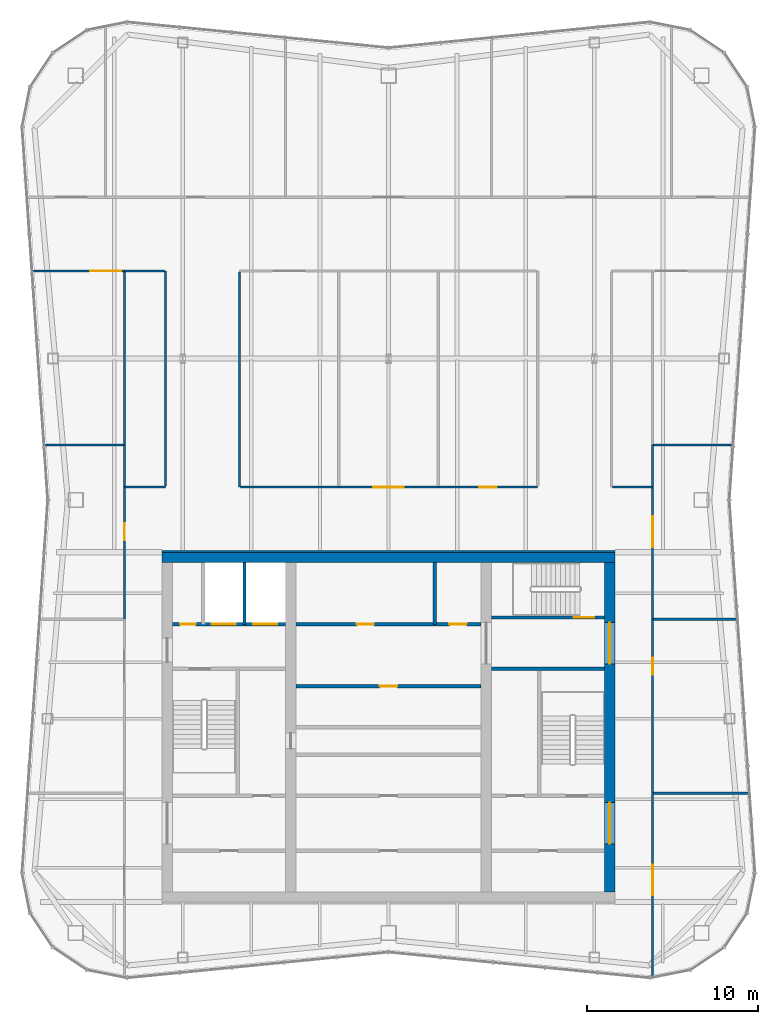
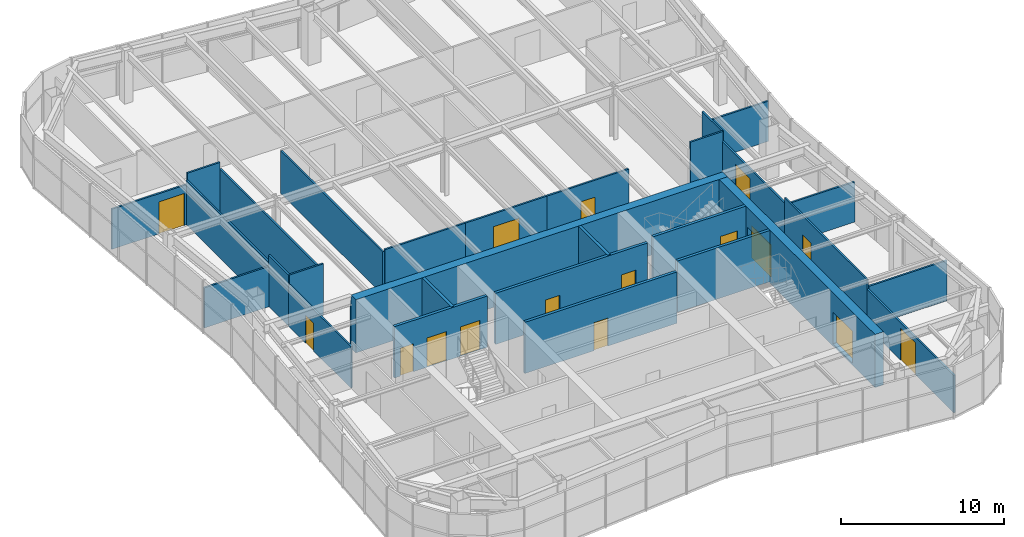
# One storey, part 10 of 13: 30 walls, 16 doors, 16 openings.
"""IFC4 building model written with IfcOpenShell, lengths in metres."""

from ifc_helpers import new_model, si_unit, direction, frame, frame_2d, origin, place, context, subcontext, project, spatial, rectangle, extrude, material, layer, layer_set, type_object, element, fill, save


model = new_model("IFC4")

# Units and contexts
model_context = context("Model", 3, precision=1e-05, world=origin(), true_north=direction((0.0, 1.0)))
body_context = subcontext(model_context, "Body", "Model", "MODEL_VIEW")
ifc_project = project(units=[si_unit("LENGTHUNIT", "METRE"), si_unit("AREAUNIT", "SQUARE_METRE"), si_unit("VOLUMEUNIT", "CUBIC_METRE"), si_unit("PLANEANGLEUNIT", "RADIAN"), si_unit("MASSUNIT", "GRAM", prefix="KILO")], contexts=[model_context])

# Site, building, storey
site_placement = place(None, origin())
site = spatial("IfcSite", under=ifc_project, at=site_placement, CompositionType="ELEMENT")
building_placement = place(site_placement, origin())
building = spatial("IfcBuilding", under=site, at=building_placement, Name="Verdant Reach Tower", CompositionType="ELEMENT")
storey_placement = place(building_placement, frame((0.0, 0.0, 364.0)))
storey = spatial("IfcBuildingStorey", under=building, at=storey_placement, Name="L82 Plant", CompositionType="ELEMENT", Elevation=364.0)

# Wall, opening, door
ifc_material_1 = material(Name="Gypsum board on steel studs", Category="steel")
ifc_layer_1 = layer(ifc_material_1, 0.199951171875)
ifc_layer_set_1 = layer_set([ifc_layer_1], Name="CO-WALL-ROOM")
wall_type_1 = type_object("IfcWallType", Name="CO-WALL-ROOM", PredefinedType="PARTITIONING", material=ifc_layer_set_1)
wall_1_placement = place(storey_placement, frame((-5.39990234375, 30.39990234375, 0.0), z_axis=(0.0, 0.0, 1.0), x_axis=(1.0, 0.0, 0.0)))
wall_1 = element("IfcWall", 1, at=wall_1_placement, inside=storey, type_object=wall_type_1, Name="Core partition, L82 Plant", PredefinedType="PARTITIONING", context=body_context, shape_type="SweptSolid", body=[
    extrude(rectangle(XDim=10.7998046875, YDim=0.199951171875, at=frame_2d((5.39990234375, 0.0))), origin(), (0.0, 0.0, 1.0), 3.85009765625),
])
opening_1_placement = place(wall_1_placement, frame((4.89990234375, 0.0, 0.0)))
opening_1 = element("IfcOpeningElement", 2, at=opening_1_placement, cuts=wall_1, Name="Opening CD", PredefinedType="OPENING", context=body_context, shape_type="SweptSolid", body=[
    extrude(rectangle(XDim=1.0, YDim=2.10009765625, at=frame_2d((0.5, 1.050048828125))), frame((0.0, 0.10986328125, 0.0), z_axis=(0.0, -1.0, 0.0), x_axis=(1.0, 0.0, 0.0)), (0.0, 0.0, 1.0), 0.219970703125),
])
ifc_material_2 = material(Name="Timber", Category="wood")
door_type_1 = type_object("IfcDoorType", Name="CO-DOOR-ROOM", OperationType="NOTDEFINED", PredefinedType="DOOR", material=ifc_material_2)
door_1_placement = place(opening_1_placement, origin())
door_1 = element("IfcDoor", 3, at=door_1_placement, inside=storey, type_object=door_type_1, Name="Core room door, L82 Plant", OperationType="SINGLE_SWING_LEFT", OverallHeight=2.10009765625, OverallWidth=1.0, PredefinedType="DOOR", context=body_context, shape_type="SweptSolid", body=[
    extrude(rectangle(XDim=1.0, YDim=2.10009765625, at=frame_2d((0.5, 1.050048828125))), frame((0.0, 0.02490234375, 0.0), z_axis=(0.0, -1.0, 0.0), x_axis=(1.0, 0.0, 0.0)), (0.0, 0.0, 1.0), 0.050048828125),
])
fill(opening_1, door_1)

# Wall, openings, doors
wall_2_placement = place(storey_placement, frame((-5.39990234375, 34.0, 0.0), z_axis=(0.0, 0.0, 1.0), x_axis=(1.0, 0.0, 0.0)))
wall_2 = element("IfcWall", 4, at=wall_2_placement, inside=storey, type_object=wall_type_1, Name="Core partition, L82 Plant", PredefinedType="PARTITIONING", context=body_context, shape_type="SweptSolid", body=[
    extrude(rectangle(XDim=10.7998046875, YDim=0.199951171875, at=frame_2d((5.39990234375, 0.0))), origin(), (0.0, 0.0, 1.0), 3.85009765625),
])
opening_2_placement = place(wall_2_placement, frame((3.550048828125, 0.0, 0.0)))
opening_2 = element("IfcOpeningElement", 5, at=opening_2_placement, cuts=wall_2, Name="Opening CD", PredefinedType="OPENING", context=body_context, shape_type="SweptSolid", body=[
    extrude(rectangle(XDim=1.0, YDim=2.10009765625, at=frame_2d((0.5, 1.050048828125))), frame((0.0, 0.10986328125, 0.0), z_axis=(0.0, -1.0, 0.0), x_axis=(1.0, 0.0, 0.0)), (0.0, 0.0, 1.0), 0.219970703125),
])
opening_3_placement = place(wall_2_placement, frame((8.949951171875, 0.0, 0.0)))
opening_3 = element("IfcOpeningElement", 6, at=opening_3_placement, cuts=wall_2, Name="Opening CD", PredefinedType="OPENING", context=body_context, shape_type="SweptSolid", body=[
    extrude(rectangle(XDim=1.0, YDim=2.10009765625, at=frame_2d((0.5, 1.050048828125))), frame((0.0, 0.10986328125, 0.0), z_axis=(0.0, -1.0, 0.0), x_axis=(1.0, 0.0, 0.0)), (0.0, 0.0, 1.0), 0.219970703125),
])
door_2_placement = place(opening_2_placement, origin())
door_2 = element("IfcDoor", 7, at=door_2_placement, inside=storey, type_object=door_type_1, Name="Core room door, L82 Plant", OperationType="SINGLE_SWING_LEFT", OverallHeight=2.10009765625, OverallWidth=1.0, PredefinedType="DOOR", context=body_context, shape_type="SweptSolid", body=[
    extrude(rectangle(XDim=1.0, YDim=2.10009765625, at=frame_2d((0.5, 1.050048828125))), frame((0.0, 0.02490234375, 0.0), z_axis=(0.0, -1.0, 0.0), x_axis=(1.0, 0.0, 0.0)), (0.0, 0.0, 1.0), 0.050048828125),
])
fill(opening_2, door_2)
door_3_placement = place(opening_3_placement, origin())
door_3 = element("IfcDoor", 8, at=door_3_placement, inside=storey, type_object=door_type_1, Name="Core room door, L82 Plant", OperationType="SINGLE_SWING_LEFT", OverallHeight=2.10009765625, OverallWidth=1.0, PredefinedType="DOOR", context=body_context, shape_type="SweptSolid", body=[
    extrude(rectangle(XDim=1.0, YDim=2.10009765625, at=frame_2d((0.5, 1.050048828125))), frame((0.0, 0.02490234375, 0.0), z_axis=(0.0, -1.0, 0.0), x_axis=(1.0, 0.0, 0.0)), (0.0, 0.0, 1.0), 0.050048828125),
])
fill(opening_3, door_3)

# Wall
wall_3_placement = place(storey_placement, frame((2.699951171875, 34.0, 0.0), z_axis=(0.0, 0.0, 1.0), x_axis=(0.0, 1.0, 0.0)))
element("IfcWall", 9, at=wall_3_placement, inside=storey, type_object=wall_type_1, Name="Core partition, L82 Plant", PredefinedType="PARTITIONING", context=body_context, shape_type="SweptSolid", body=[
    extrude(rectangle(XDim=3.60009765625, YDim=0.199951171875, at=frame_2d((1.800048828125, 0.0))), origin(), (0.0, 0.0, 1.0), 3.85009765625),
])

# Wall, openings, doors
ifc_material_3 = material(Name="Concrete C40/50", Category="concrete")
ifc_layer_2 = layer(ifc_material_3, 0.199951171875)
ifc_layer_set_2 = layer_set([ifc_layer_2], Name="CO-WALL-SHAFT")
wall_type_2 = type_object("IfcWallType", Name="CO-WALL-SHAFT", PredefinedType="PARTITIONING", material=ifc_layer_set_2)
wall_4_placement = place(storey_placement, frame((-12.60009765625, 34.0, 0.0), z_axis=(0.0, 0.0, 1.0), x_axis=(1.0, 0.0, 0.0)))
wall_4 = element("IfcWall", 10, at=wall_4_placement, inside=storey, type_object=wall_type_2, Name="Lift shaft wall, L82 Plant", PredefinedType="PARTITIONING", context=body_context, shape_type="SweptSolid", body=[
    extrude(rectangle(XDim=6.60009765625, YDim=0.199951171875, at=frame_2d((3.300048828125, 0.0))), origin(), (0.0, 0.0, 1.0), 3.85009765625),
])
opening_4_placement = place(wall_4_placement, frame((4.699951171875, 0.0, 0.0)))
opening_4 = element("IfcOpeningElement", 11, at=opening_4_placement, cuts=wall_4, Name="Opening LD-F1", PredefinedType="OPENING", context=body_context, shape_type="SweptSolid", body=[
    extrude(rectangle(XDim=1.39990234375, YDim=2.199951171875, at=frame_2d((0.699951171875, 1.10009765625))), frame((0.0, 0.10986328125, 0.0), z_axis=(0.0, -1.0, 0.0), x_axis=(1.0, 0.0, 0.0)), (0.0, 0.0, 1.0), 0.219970703125),
])
opening_5_placement = place(wall_4_placement, frame((2.300048828125, 0.0, 0.0)))
opening_5 = element("IfcOpeningElement", 12, at=opening_5_placement, cuts=wall_4, Name="Opening LD-F2", PredefinedType="OPENING", context=body_context, shape_type="SweptSolid", body=[
    extrude(rectangle(XDim=1.39990234375, YDim=2.199951171875, at=frame_2d((0.699951171875, 1.10009765625))), frame((0.0, 0.10986328125, 0.0), z_axis=(0.0, -1.0, 0.0), x_axis=(1.0, 0.0, 0.0)), (0.0, 0.0, 1.0), 0.219970703125),
])
opening_6_placement = place(wall_4_placement, frame((0.449951171875, 0.0, 0.0)))
opening_6 = element("IfcOpeningElement", 13, at=opening_6_placement, cuts=wall_4, Name="Opening RD", PredefinedType="OPENING", context=body_context, shape_type="SweptSolid", body=[
    extrude(rectangle(XDim=0.89990234375, YDim=2.10009765625, at=frame_2d((0.449951171875, 1.050048828125))), frame((0.0, 0.10986328125, 0.0), z_axis=(0.0, -1.0, 0.0), x_axis=(1.0, 0.0, 0.0)), (0.0, 0.0, 1.0), 0.219970703125),
])
ifc_material_4 = material(Name="Stainless steel", Category="steel")
door_type_2 = type_object("IfcDoorType", Name="CO-DOOR-LANDING-FF", OperationType="SLIDING_TO_LEFT", PredefinedType="DOOR", material=ifc_material_4)
door_4_placement = place(opening_4_placement, origin())
door_4 = element("IfcDoor", 14, at=door_4_placement, inside=storey, type_object=door_type_2, Name="Landing door F1, L82 Plant", OperationType="SLIDING_TO_LEFT", OverallHeight=2.199951171875, OverallWidth=1.39990234375, PredefinedType="DOOR", context=body_context, shape_type="SweptSolid", body=[
    extrude(rectangle(XDim=1.39990234375, YDim=2.199951171875, at=frame_2d((0.699951171875, 1.10009765625))), frame((0.0, 0.02490234375, 0.0), z_axis=(0.0, -1.0, 0.0), x_axis=(1.0, 0.0, 0.0)), (0.0, 0.0, 1.0), 0.050048828125),
])
fill(opening_4, door_4)
door_5_placement = place(opening_5_placement, origin())
door_5 = element("IfcDoor", 15, at=door_5_placement, inside=storey, type_object=door_type_2, Name="Landing door F2, L82 Plant", OperationType="SLIDING_TO_LEFT", OverallHeight=2.199951171875, OverallWidth=1.39990234375, PredefinedType="DOOR", context=body_context, shape_type="SweptSolid", body=[
    extrude(rectangle(XDim=1.39990234375, YDim=2.199951171875, at=frame_2d((0.699951171875, 1.10009765625))), frame((0.0, 0.02490234375, 0.0), z_axis=(0.0, -1.0, 0.0), x_axis=(1.0, 0.0, 0.0)), (0.0, 0.0, 1.0), 0.050048828125),
])
fill(opening_5, door_5)
ifc_material_5 = material(Name="Steel", Category="steel")
door_type_3 = type_object("IfcDoorType", Name="CO-DOOR-RISER", OperationType="NOTDEFINED", PredefinedType="DOOR", material=ifc_material_5)
door_6_placement = place(opening_6_placement, origin())
door_6 = element("IfcDoor", 16, at=door_6_placement, inside=storey, type_object=door_type_3, Name="Core room door, L82 Plant", OperationType="SINGLE_SWING_LEFT", OverallHeight=2.10009765625, OverallWidth=0.89990234375, PredefinedType="DOOR", context=body_context, shape_type="SweptSolid", body=[
    extrude(rectangle(XDim=0.89990234375, YDim=2.10009765625, at=frame_2d((0.449951171875, 1.050048828125))), frame((0.0, 0.02490234375, 0.0), z_axis=(0.0, -1.0, 0.0), x_axis=(1.0, 0.0, 0.0)), (0.0, 0.0, 1.0), 0.050048828125),
])
fill(opening_6, door_6)

# Walls
wall_5_placement = place(storey_placement, frame((-8.39990234375, 34.0, 0.0), z_axis=(0.0, 0.0, 1.0), x_axis=(0.0, 1.0, 0.0)))
element("IfcWall", 17, at=wall_5_placement, inside=storey, type_object=wall_type_2, Name="Lift shaft wall, L82 Plant", PredefinedType="PARTITIONING", context=body_context, shape_type="SweptSolid", body=[
    extrude(rectangle(XDim=3.60009765625, YDim=0.199951171875, at=frame_2d((1.800048828125, 0.0))), origin(), (0.0, 0.0, 1.0), 3.85009765625),
])
ifc_layer_3 = layer(ifc_material_3, 0.199951171875)
ifc_layer_set_3 = layer_set([ifc_layer_3], Name="CO-WALL-STAIR")
wall_type_3 = type_object("IfcWallType", Name="CO-WALL-STAIR", PredefinedType="PARTITIONING", material=ifc_layer_set_3)
wall_6_placement = place(storey_placement, frame((6.0, 31.39990234375, 0.0), z_axis=(0.0, 0.0, 1.0), x_axis=(1.0, 0.0, 0.0)))
element("IfcWall", 18, at=wall_6_placement, inside=storey, type_object=wall_type_3, Name="Stair enclosure wall, L82 Plant", PredefinedType="PARTITIONING", context=body_context, shape_type="SweptSolid", body=[
    extrude(rectangle(XDim=6.60009765625, YDim=0.199951171875, at=frame_2d((3.300048828125, 0.0))), origin(), (0.0, 0.0, 1.0), 3.85009765625),
])

# Wall, opening, door
wall_7_placement = place(storey_placement, frame((6.0, 34.39990234375, 0.0), z_axis=(0.0, 0.0, 1.0), x_axis=(1.0, 0.0, 0.0)))
wall_7 = element("IfcWall", 19, at=wall_7_placement, inside=storey, type_object=wall_type_3, Name="Stair enclosure wall, L82 Plant", PredefinedType="PARTITIONING", context=body_context, shape_type="SweptSolid", body=[
    extrude(rectangle(XDim=6.60009765625, YDim=0.199951171875, at=frame_2d((3.300048828125, 0.0))), origin(), (0.0, 0.0, 1.0), 3.85009765625),
])
opening_7_placement = place(wall_7_placement, frame((4.800048828125, 0.0, 0.0)))
opening_7 = element("IfcOpeningElement", 20, at=opening_7_placement, cuts=wall_7, Name="Opening SD", PredefinedType="OPENING", context=body_context, shape_type="SweptSolid", body=[
    extrude(rectangle(XDim=1.199951171875, YDim=2.199951171875, at=frame_2d((0.60009765625, 1.10009765625))), frame((0.0, 0.10986328125, 0.0), z_axis=(0.0, -1.0, 0.0), x_axis=(1.0, 0.0, 0.0)), (0.0, 0.0, 1.0), 0.219970703125),
])
door_type_4 = type_object("IfcDoorType", Name="CO-DOOR-STAIR", OperationType="NOTDEFINED", PredefinedType="DOOR", material=ifc_material_5)
door_7_placement = place(opening_7_placement, origin())
door_7 = element("IfcDoor", 21, at=door_7_placement, inside=storey, type_object=door_type_4, Name="Stair door, L82 Plant", OperationType="SINGLE_SWING_LEFT", OverallHeight=2.199951171875, OverallWidth=1.199951171875, PredefinedType="DOOR", context=body_context, shape_type="SweptSolid", body=[
    extrude(rectangle(XDim=1.199951171875, YDim=2.199951171875, at=frame_2d((0.60009765625, 1.10009765625))), frame((0.0, 0.02490234375, 0.0), z_axis=(0.0, -1.0, 0.0), x_axis=(1.0, 0.0, 0.0)), (0.0, 0.0, 1.0), 0.050048828125),
])
fill(opening_7, door_7)

# Wall
ifc_material_6 = material(Name="Concrete C70/85", Category="concrete")
ifc_layer_4 = layer(ifc_material_6, 0.60009765625)
ifc_layer_set_4 = layer_set([ifc_layer_4], Name="ST-CORE-WALL-600")
wall_type_4 = type_object("IfcWallType", Name="ST-CORE-WALL-600", PredefinedType="SHEAR", material=ifc_layer_set_4)
wall_8_placement = place(storey_placement, frame((-13.199951171875, 37.89990234375, -0.14990234375), z_axis=(0.0, 0.0, 1.0), x_axis=(1.0, 0.0, 0.0)))
element("IfcWall", 22, at=wall_8_placement, inside=storey, type_object=wall_type_4, Name="Core wall N, L82 Plant", PredefinedType="SHEAR", context=body_context, shape_type="SweptSolid", body=[
    extrude(rectangle(XDim=26.39990234375, YDim=0.60009765625, at=frame_2d((13.199951171875, 0.0))), origin(), (0.0, 0.0, 1.0), 4.0),
])

# Wall, openings, doors
wall_9_placement = place(storey_placement, frame((12.89990234375, 18.39990234375, -0.14990234375), z_axis=(0.0, 0.0, 1.0), x_axis=(0.0, 1.0, 0.0)))
wall_9 = element("IfcWall", 23, at=wall_9_placement, inside=storey, type_object=wall_type_4, Name="Core wall E, L82 Plant", PredefinedType="SHEAR", context=body_context, shape_type="SweptSolid", body=[
    extrude(rectangle(XDim=19.2001953125, YDim=0.60009765625, at=frame_2d((9.60009765625, 0.0))), origin(), (0.0, 0.0, 1.0), 4.0),
])
opening_8_placement = place(wall_9_placement, frame((2.800048828125, 0.0, 0.14990234375)))
opening_8 = element("IfcOpeningElement", 24, at=opening_8_placement, cuts=wall_9, Name="Opening LB", PredefinedType="OPENING", context=body_context, shape_type="SweptSolid", body=[
    extrude(rectangle(XDim=2.39990234375, YDim=2.39990234375, at=frame_2d((1.199951171875, 1.199951171875))), frame((0.0, 0.31005859375, 0.0), z_axis=(0.0, -1.0, 0.0), x_axis=(1.0, 0.0, 0.0)), (0.0, 0.0, 1.0), 0.6201171875),
])
opening_9_placement = place(wall_9_placement, frame((13.300048828125, 0.0, 0.14990234375)))
opening_9 = element("IfcOpeningElement", 25, at=opening_9_placement, cuts=wall_9, Name="Opening LB", PredefinedType="OPENING", context=body_context, shape_type="SweptSolid", body=[
    extrude(rectangle(XDim=2.39990234375, YDim=2.39990234375, at=frame_2d((1.199951171875, 1.199951171875))), frame((0.0, 0.31005859375, 0.0), z_axis=(0.0, -1.0, 0.0), x_axis=(1.0, 0.0, 0.0)), (0.0, 0.0, 1.0), 0.6201171875),
])
ifc_material_7 = material(Name="Glass and steel", Category="steel")
door_type_5 = type_object("IfcDoorType", Name="CO-DOOR-LOBBY", OperationType="DOUBLE_DOOR_SINGLE_SWING", PredefinedType="DOOR", material=ifc_material_7)
door_8_placement = place(opening_8_placement, origin())
door_8 = element("IfcDoor", 26, at=door_8_placement, inside=storey, type_object=door_type_5, Name="Core entrance door, L82 Plant", OperationType="DOUBLE_DOOR_SINGLE_SWING", OverallHeight=2.39990234375, OverallWidth=2.39990234375, PredefinedType="DOOR", context=body_context, shape_type="SweptSolid", body=[
    extrude(rectangle(XDim=2.39990234375, YDim=2.39990234375, at=frame_2d((1.199951171875, 1.199951171875))), frame((0.0, 0.02490234375, 0.0), z_axis=(0.0, -1.0, 0.0), x_axis=(1.0, 0.0, 0.0)), (0.0, 0.0, 1.0), 0.050048828125),
])
fill(opening_8, door_8)
door_9_placement = place(opening_9_placement, origin())
door_9 = element("IfcDoor", 27, at=door_9_placement, inside=storey, type_object=door_type_5, Name="Core entrance door, L82 Plant", OperationType="DOUBLE_DOOR_SINGLE_SWING", OverallHeight=2.39990234375, OverallWidth=2.39990234375, PredefinedType="DOOR", context=body_context, shape_type="SweptSolid", body=[
    extrude(rectangle(XDim=2.39990234375, YDim=2.39990234375, at=frame_2d((1.199951171875, 1.199951171875))), frame((0.0, 0.02490234375, 0.0), z_axis=(0.0, -1.0, 0.0), x_axis=(1.0, 0.0, 0.0)), (0.0, 0.0, 1.0), 0.050048828125),
])
fill(opening_9, door_9)

# Walls
ifc_material_8 = material(Name="Gypsum board on steel studs, fire rated", Category="steel")
ifc_layer_5 = layer(ifc_material_8, 0.125)
ifc_layer_set_5 = layer_set([ifc_layer_5], Name="SV-W2 Plant wall 125 EI 60")
wall_type_5 = type_object("IfcWallType", Name="SV-W2 Plant wall 125 EI 60", PredefinedType="PARTITIONING", material=ifc_layer_set_5)
wall_10_placement = place(storey_placement, frame((-8.699951171875, 54.53759765625, 0.0), z_axis=(0.0, 0.0, 1.0), x_axis=(0.0, -1.0, 0.0)))
element("IfcWall", 28, at=wall_10_placement, inside=storey, type_object=wall_type_5, Name="Partition L82.02", PredefinedType="PARTITIONING", context=body_context, shape_type="SweptSolid", body=[
    extrude(rectangle(XDim=12.53759765625, YDim=0.125, at=frame_2d((6.268798828125, 0.0))), origin(), (0.0, 0.0, 1.0), 3.219970703125),
])
wall_11_placement = place(storey_placement, frame((-8.637451171875, 42.0, 0.0), z_axis=(0.0, 0.0, 1.0), x_axis=(1.0, 0.0, 0.0)))
element("IfcWall", 29, at=wall_11_placement, inside=storey, type_object=wall_type_5, Name="Partition L82.03", PredefinedType="PARTITIONING", context=body_context, shape_type="SweptSolid", body=[
    extrude(rectangle(XDim=5.737548828125, YDim=0.125, at=frame_2d((2.86865234375, 0.0))), origin(), (0.0, 0.0, 1.0), 3.3701171875),
])

# Wall, opening, door
wall_12_placement = place(storey_placement, frame((2.89990234375, 42.0, 0.0), z_axis=(0.0, 0.0, 1.0), x_axis=(-1.0, 0.0, 0.0)))
wall_12 = element("IfcWall", 30, at=wall_12_placement, inside=storey, type_object=wall_type_5, Name="Partition L82.04", PredefinedType="PARTITIONING", context=body_context, shape_type="SweptSolid", body=[
    extrude(rectangle(XDim=5.7998046875, YDim=0.125, at=frame_2d((2.89990234375, 0.0))), origin(), (0.0, 0.0, 1.0), 3.3701171875),
])
opening_10_placement = place(wall_12_placement, frame((2.0, 0.0, 0.0)))
opening_10 = element("IfcOpeningElement", 31, at=opening_10_placement, cuts=wall_12, Name="Opening SD3", PredefinedType="OPENING", context=body_context, shape_type="SweptSolid", body=[
    extrude(rectangle(XDim=1.800048828125, YDim=2.39990234375, at=frame_2d((0.89990234375, 1.199951171875))), frame((0.0, 0.072509765625, 0.0), z_axis=(0.0, -1.0, 0.0), x_axis=(1.0, 0.0, 0.0)), (0.0, 0.0, 1.0), 0.14501953125),
])
ifc_material_9 = material(Name="Steel door leaves, fire rated", Category="steel")
door_type_6 = type_object("IfcDoorType", Name="SV-D3 Equipment door 1800x2400 FD60", OperationType="DOUBLE_DOOR_SINGLE_SWING", PredefinedType="DOOR", material=ifc_material_9)
door_10_placement = place(opening_10_placement, origin())
door_10 = element("IfcDoor", 32, at=door_10_placement, inside=storey, type_object=door_type_6, Name="Door L82-002", OperationType="DOUBLE_DOOR_SINGLE_SWING", OverallHeight=2.39990234375, OverallWidth=1.800048828125, PredefinedType="DOOR", context=body_context, shape_type="SweptSolid", body=[
    extrude(rectangle(XDim=1.800048828125, YDim=2.39990234375, at=frame_2d((0.89990234375, 1.199951171875))), frame((0.0, 0.02490234375, 0.0), z_axis=(0.0, -1.0, 0.0), x_axis=(1.0, 0.0, 0.0)), (0.0, 0.0, 1.0), 0.050048828125),
])
fill(opening_10, door_10)

wall_13_placement = place(storey_placement, frame((8.699951171875, 42.0, 0.0), z_axis=(0.0, 0.0, 1.0), x_axis=(-1.0, 0.0, 0.0)))
wall_13 = element("IfcWall", 33, at=wall_13_placement, inside=storey, type_object=wall_type_5, Name="Partition L82.06", PredefinedType="PARTITIONING", context=body_context, shape_type="SweptSolid", body=[
    extrude(rectangle(XDim=5.800048828125, YDim=0.125, at=frame_2d((2.89990234375, 0.0))), origin(), (0.0, 0.0, 1.0), 3.3701171875),
])
opening_11_placement = place(wall_13_placement, frame((2.39990234375, 0.0, 0.0)))
opening_11 = element("IfcOpeningElement", 34, at=opening_11_placement, cuts=wall_13, Name="Opening SD4", PredefinedType="OPENING", context=body_context, shape_type="SweptSolid", body=[
    extrude(rectangle(XDim=1.0, YDim=2.10009765625, at=frame_2d((0.5, 1.050048828125))), frame((0.0, 0.072509765625, 0.0), z_axis=(0.0, -1.0, 0.0), x_axis=(1.0, 0.0, 0.0)), (0.0, 0.0, 1.0), 0.14501953125),
])
ifc_material_10 = material(Name="Steel door leaf, fire rated", Category="steel")
door_type_7 = type_object("IfcDoorType", Name="SV-D4 Door 1000x2100 FD120", OperationType="NOTDEFINED", PredefinedType="DOOR", material=ifc_material_10)
door_11_placement = place(opening_11_placement, origin())
door_11 = element("IfcDoor", 35, at=door_11_placement, inside=storey, type_object=door_type_7, Name="Door L82-003", OperationType="SINGLE_SWING_LEFT", OverallHeight=2.10009765625, OverallWidth=1.0, PredefinedType="DOOR", context=body_context, shape_type="SweptSolid", body=[
    extrude(rectangle(XDim=1.0, YDim=2.10009765625, at=frame_2d((0.5, 1.050048828125))), frame((0.0, 0.02490234375, 0.0), z_axis=(0.0, -1.0, 0.0), x_axis=(1.0, 0.0, 0.0)), (0.0, 0.0, 1.0), 0.050048828125),
])
fill(opening_11, door_11)

wall_14_placement = place(storey_placement, frame((-15.39990234375, 42.0, 0.0), z_axis=(0.0, 0.0, 1.0), x_axis=(0.0, -1.0, 0.0)))
wall_14 = element("IfcWall", 36, at=wall_14_placement, inside=storey, type_object=wall_type_5, Name="Partition L82.11", PredefinedType="PARTITIONING", context=body_context, shape_type="SweptSolid", body=[
    extrude(rectangle(XDim=7.699951171875, YDim=0.125, at=frame_2d((3.85009765625, 0.0))), origin(), (0.0, 0.0, 1.0), 3.1201171875),
])
opening_12_placement = place(wall_14_placement, frame((2.10009765625, 0.0, 0.0)))
opening_12 = element("IfcOpeningElement", 37, at=opening_12_placement, cuts=wall_14, Name="Opening SD2", PredefinedType="OPENING", context=body_context, shape_type="SweptSolid", body=[
    extrude(rectangle(XDim=1.0, YDim=2.10009765625, at=frame_2d((0.5, 1.050048828125))), frame((0.0, 0.072509765625, 0.0), z_axis=(0.0, -1.0, 0.0), x_axis=(1.0, 0.0, 0.0)), (0.0, 0.0, 1.0), 0.14501953125),
])
door_type_8 = type_object("IfcDoorType", Name="SV-D2 Door 1000x2100 FD60", OperationType="NOTDEFINED", PredefinedType="DOOR", material=ifc_material_10)
door_12_placement = place(opening_12_placement, origin())
door_12 = element("IfcDoor", 38, at=door_12_placement, inside=storey, type_object=door_type_8, Name="Door L82-006", OperationType="SINGLE_SWING_LEFT", OverallHeight=2.10009765625, OverallWidth=1.0, PredefinedType="DOOR", context=body_context, shape_type="SweptSolid", body=[
    extrude(rectangle(XDim=1.0, YDim=2.10009765625, at=frame_2d((0.5, 1.050048828125))), frame((0.0, 0.02490234375, 0.0), z_axis=(0.0, -1.0, 0.0), x_axis=(1.0, 0.0, 0.0)), (0.0, 0.0, 1.0), 0.050048828125),
])
fill(opening_12, door_12)

wall_15_placement = place(storey_placement, frame((-15.39990234375, 54.60009765625, 0.0), z_axis=(0.0, 0.0, 1.0), x_axis=(-1.0, 0.0, 0.0)))
wall_15 = element("IfcWall", 39, at=wall_15_placement, inside=storey, type_object=wall_type_5, Name="Partition L82.12", PredefinedType="PARTITIONING", context=body_context, shape_type="SweptSolid", body=[
    extrude(rectangle(XDim=5.350830078125, YDim=0.125, at=frame_2d((2.67529296875, 0.0))), origin(), (0.0, 0.0, 1.0), 3.02001953125),
])
opening_13_placement = place(wall_15_placement, frame((0.199951171875, 0.0, 0.0)))
opening_13 = element("IfcOpeningElement", 40, at=opening_13_placement, cuts=wall_15, Name="Opening SD3", PredefinedType="OPENING", context=body_context, shape_type="SweptSolid", body=[
    extrude(rectangle(XDim=1.800048828125, YDim=2.39990234375, at=frame_2d((0.89990234375, 1.199951171875))), frame((0.0, 0.072509765625, 0.0), z_axis=(0.0, -1.0, 0.0), x_axis=(1.0, 0.0, 0.0)), (0.0, 0.0, 1.0), 0.14501953125),
])
door_13_placement = place(opening_13_placement, origin())
door_13 = element("IfcDoor", 41, at=door_13_placement, inside=storey, type_object=door_type_6, Name="Door L82-007", OperationType="DOUBLE_DOOR_SINGLE_SWING", OverallHeight=2.39990234375, OverallWidth=1.800048828125, PredefinedType="DOOR", context=body_context, shape_type="SweptSolid", body=[
    extrude(rectangle(XDim=1.800048828125, YDim=2.39990234375, at=frame_2d((0.89990234375, 1.199951171875))), frame((0.0, 0.02490234375, 0.0), z_axis=(0.0, -1.0, 0.0), x_axis=(1.0, 0.0, 0.0)), (0.0, 0.0, 1.0), 0.050048828125),
])
fill(opening_13, door_13)

wall_16_placement = place(storey_placement, frame((15.39990234375, 13.44970703125, 0.0), z_axis=(0.0, 0.0, 1.0), x_axis=(0.0, 1.0, 0.0)))
wall_16 = element("IfcWall", 42, at=wall_16_placement, inside=storey, type_object=wall_type_5, Name="Partition L82.13", PredefinedType="PARTITIONING", context=body_context, shape_type="SweptSolid", body=[
    extrude(rectangle(XDim=10.7001953125, YDim=0.125, at=frame_2d((5.35009765625, 0.0))), origin(), (0.0, 0.0, 1.0), 2.81201171875),
])
opening_14_placement = place(wall_16_placement, frame((4.7392578125, 0.0, 0.0)))
opening_14 = element("IfcOpeningElement", 43, at=opening_14_placement, cuts=wall_16, Name="Opening SD3", PredefinedType="OPENING", context=body_context, shape_type="SweptSolid", body=[
    extrude(rectangle(XDim=1.800048828125, YDim=2.39990234375, at=frame_2d((0.89990234375, 1.199951171875))), frame((0.0, 0.072509765625, 0.0), z_axis=(0.0, -1.0, 0.0), x_axis=(1.0, 0.0, 0.0)), (0.0, 0.0, 1.0), 0.14501953125),
])
door_14_placement = place(opening_14_placement, origin())
door_14 = element("IfcDoor", 44, at=door_14_placement, inside=storey, type_object=door_type_6, Name="Door L82-008", OperationType="DOUBLE_DOOR_SINGLE_SWING", OverallHeight=2.39990234375, OverallWidth=1.800048828125, PredefinedType="DOOR", context=body_context, shape_type="SweptSolid", body=[
    extrude(rectangle(XDim=1.800048828125, YDim=2.39990234375, at=frame_2d((0.89990234375, 1.199951171875))), frame((0.0, 0.02490234375, 0.0), z_axis=(0.0, -1.0, 0.0), x_axis=(1.0, 0.0, 0.0)), (0.0, 0.0, 1.0), 0.050048828125),
])
fill(opening_14, door_14)

wall_17_placement = place(storey_placement, frame((15.39990234375, 24.14990234375, 0.0), z_axis=(0.0, 0.0, 1.0), x_axis=(0.0, 1.0, 0.0)))
wall_17 = element("IfcWall", 45, at=wall_17_placement, inside=storey, type_object=wall_type_5, Name="Partition L82.14", PredefinedType="PARTITIONING", context=body_context, shape_type="SweptSolid", body=[
    extrude(rectangle(XDim=10.150146484375, YDim=0.125, at=frame_2d((5.0751953125, 0.0))), origin(), (0.0, 0.0, 1.0), 3.52001953125),
])
opening_15_placement = place(wall_17_placement, frame((6.89990234375, 0.0, 0.0)))
opening_15 = element("IfcOpeningElement", 46, at=opening_15_placement, cuts=wall_17, Name="Opening SD4", PredefinedType="OPENING", context=body_context, shape_type="SweptSolid", body=[
    extrude(rectangle(XDim=1.0, YDim=2.10009765625, at=frame_2d((0.5, 1.050048828125))), frame((0.0, 0.072509765625, 0.0), z_axis=(0.0, -1.0, 0.0), x_axis=(1.0, 0.0, 0.0)), (0.0, 0.0, 1.0), 0.14501953125),
])
door_15_placement = place(opening_15_placement, origin())
door_15 = element("IfcDoor", 47, at=door_15_placement, inside=storey, type_object=door_type_7, Name="Door L82-009", OperationType="SINGLE_SWING_RIGHT", OverallHeight=2.10009765625, OverallWidth=1.0, PredefinedType="DOOR", context=body_context, shape_type="SweptSolid", body=[
    extrude(rectangle(XDim=1.0, YDim=2.10009765625, at=frame_2d((0.5, 1.050048828125))), frame((0.0, 0.02490234375, 0.0), z_axis=(0.0, -1.0, 0.0), x_axis=(1.0, 0.0, 0.0)), (0.0, 0.0, 1.0), 0.050048828125),
])
fill(opening_15, door_15)

wall_18_placement = place(storey_placement, frame((15.39990234375, 34.300048828125, 0.0), z_axis=(0.0, 0.0, 1.0), x_axis=(0.0, 1.0, 0.0)))
wall_18 = element("IfcWall", 48, at=wall_18_placement, inside=storey, type_object=wall_type_5, Name="Partition L82.15", PredefinedType="PARTITIONING", context=body_context, shape_type="SweptSolid", body=[
    extrude(rectangle(XDim=7.699951171875, YDim=0.125, at=frame_2d((3.85009765625, 0.0))), origin(), (0.0, 0.0, 1.0), 3.1201171875),
])
opening_16_placement = place(wall_18_placement, frame((4.199951171875, 0.0, 0.0)))
opening_16 = element("IfcOpeningElement", 49, at=opening_16_placement, cuts=wall_18, Name="Opening SD3", PredefinedType="OPENING", context=body_context, shape_type="SweptSolid", body=[
    extrude(rectangle(XDim=1.800048828125, YDim=2.39990234375, at=frame_2d((0.89990234375, 1.199951171875))), frame((0.0, 0.072509765625, 0.0), z_axis=(0.0, -1.0, 0.0), x_axis=(1.0, 0.0, 0.0)), (0.0, 0.0, 1.0), 0.14501953125),
])
door_16_placement = place(opening_16_placement, origin())
door_16 = element("IfcDoor", 50, at=door_16_placement, inside=storey, type_object=door_type_6, Name="Door L82-010", OperationType="DOUBLE_DOOR_SINGLE_SWING", OverallHeight=2.39990234375, OverallWidth=1.800048828125, PredefinedType="DOOR", context=body_context, shape_type="SweptSolid", body=[
    extrude(rectangle(XDim=1.800048828125, YDim=2.39990234375, at=frame_2d((0.89990234375, 1.199951171875))), frame((0.0, 0.02490234375, 0.0), z_axis=(0.0, -1.0, 0.0), x_axis=(1.0, 0.0, 0.0)), (0.0, 0.0, 1.0), 0.050048828125),
])
fill(opening_16, door_16)

# Walls
wall_19_placement = place(storey_placement, frame((-20.05078125, 44.449951171875, 0.0), z_axis=(0.0, 0.0, 1.0), x_axis=(1.0, 0.0, 0.0)))
element("IfcWall", 51, at=wall_19_placement, inside=storey, type_object=wall_type_5, Name="Partition L82.26", PredefinedType="PARTITIONING", context=body_context, shape_type="SweptSolid", body=[
    extrude(rectangle(XDim=4.65087890625, YDim=0.125, at=frame_2d((2.325439453125, 0.0))), origin(), (0.0, 0.0, 1.0), 3.02001953125),
])
wall_20_placement = place(storey_placement, frame((15.46240234375, 24.14990234375, 0.0), z_axis=(0.0, 0.0, 1.0), x_axis=(1.0, 0.0, 0.0)))
element("IfcWall", 52, at=wall_20_placement, inside=storey, type_object=wall_type_5, Name="Partition L82.27", PredefinedType="PARTITIONING", context=body_context, shape_type="SweptSolid", body=[
    extrude(rectangle(XDim=5.546875, YDim=0.125, at=frame_2d((2.7734375, 0.0))), origin(), (0.0, 0.0, 1.0), 3.02001953125),
])
wall_21_placement = place(storey_placement, frame((15.46240234375, 34.300048828125, 0.0), z_axis=(0.0, 0.0, 1.0), x_axis=(1.0, 0.0, 0.0)))
element("IfcWall", 53, at=wall_21_placement, inside=storey, type_object=wall_type_5, Name="Partition L82.28", PredefinedType="PARTITIONING", context=body_context, shape_type="SweptSolid", body=[
    extrude(rectangle(XDim=4.846923828125, YDim=0.125, at=frame_2d((2.42333984375, 0.0))), origin(), (0.0, 0.0, 1.0), 3.02001953125),
])
wall_22_placement = place(storey_placement, frame((15.39990234375, 44.449951171875, 0.0), z_axis=(0.0, 0.0, 1.0), x_axis=(1.0, 0.0, 0.0)))
element("IfcWall", 54, at=wall_22_placement, inside=storey, type_object=wall_type_5, Name="Partition L82.29", PredefinedType="PARTITIONING", context=body_context, shape_type="SweptSolid", body=[
    extrude(rectangle(XDim=4.65087890625, YDim=0.125, at=frame_2d((2.325439453125, 0.0))), origin(), (0.0, 0.0, 1.0), 3.02001953125),
])
wall_23_placement = place(storey_placement, frame((-15.39794921875, 42.0, 0.0), z_axis=(0.0, 0.0, 1.0), x_axis=(1.0, 0.0, 0.0)))
element("IfcWall", 55, at=wall_23_placement, inside=storey, type_object=wall_type_5, Name="Partition L82.34", PredefinedType="PARTITIONING", context=body_context, shape_type="SweptSolid", body=[
    extrude(rectangle(XDim=2.39794921875, YDim=0.125, at=frame_2d((1.198974609375, 0.0))), origin(), (0.0, 0.0, 1.0), 3.85009765625),
])
wall_24_placement = place(storey_placement, frame((-13.0, 42.0625, 0.0), z_axis=(0.0, 0.0, 1.0), x_axis=(0.0, 1.0, 0.0)))
element("IfcWall", 56, at=wall_24_placement, inside=storey, type_object=wall_type_5, Name="Partition L82.35", PredefinedType="PARTITIONING", context=body_context, shape_type="SweptSolid", body=[
    extrude(rectangle(XDim=12.53759765625, YDim=0.125, at=frame_2d((6.268798828125, 0.0))), origin(), (0.0, 0.0, 1.0), 3.330078125),
])
wall_25_placement = place(storey_placement, frame((-13.0625, 54.60009765625, 0.0), z_axis=(0.0, 0.0, 1.0), x_axis=(-1.0, 0.0, 0.0)))
element("IfcWall", 57, at=wall_25_placement, inside=storey, type_object=wall_type_5, Name="Partition L82.36", PredefinedType="PARTITIONING", context=body_context, shape_type="SweptSolid", body=[
    extrude(rectangle(XDim=2.33544921875, YDim=0.125, at=frame_2d((1.167724609375, 0.0))), origin(), (0.0, 0.0, 1.0), 3.85009765625),
])
wall_26_placement = place(storey_placement, frame((13.199951171875, 38.25, 0.0), z_axis=(0.0, 0.0, 1.0), x_axis=(-1.0, 0.0, 0.0)))
element("IfcWall", 58, at=wall_26_placement, inside=storey, type_object=wall_type_5, Name="Partition L82.38", PredefinedType="PARTITIONING", context=body_context, shape_type="SweptSolid", body=[
    extrude(rectangle(XDim=26.39990234375, YDim=0.125, at=frame_2d((13.199951171875, 0.0))), origin(), (0.0, 0.0, 1.0), 3.3701171875),
])
wall_27_placement = place(storey_placement, frame((13.0625, 42.0, 0.0), z_axis=(0.0, 0.0, 1.0), x_axis=(1.0, 0.0, 0.0)))
element("IfcWall", 59, at=wall_27_placement, inside=storey, type_object=wall_type_5, Name="Partition L82.41", PredefinedType="PARTITIONING", context=body_context, shape_type="SweptSolid", body=[
    extrude(rectangle(XDim=2.33544921875, YDim=0.125, at=frame_2d((1.167724609375, 0.0))), origin(), (0.0, 0.0, 1.0), 3.85009765625),
])
wall_28_placement = place(storey_placement, frame((-15.39990234375, 44.447998046875, 0.0), z_axis=(0.0, 0.0, 1.0), x_axis=(0.0, -1.0, 0.0)))
element("IfcWall", 60, at=wall_28_placement, inside=storey, type_object=wall_type_5, Name="Partition L82.42", PredefinedType="PARTITIONING", context=body_context, shape_type="SweptSolid", body=[
    extrude(rectangle(XDim=2.446044921875, YDim=0.125, at=frame_2d((1.22314453125, 0.0))), origin(), (0.0, 0.0, 1.0), 3.85009765625),
])
wall_29_placement = place(storey_placement, frame((-15.39990234375, 54.597900390625, 0.0), z_axis=(0.0, 0.0, 1.0), x_axis=(0.0, -1.0, 0.0)))
element("IfcWall", 61, at=wall_29_placement, inside=storey, type_object=wall_type_5, Name="Partition L82.43", PredefinedType="PARTITIONING", context=body_context, shape_type="SweptSolid", body=[
    extrude(rectangle(XDim=10.14599609375, YDim=0.125, at=frame_2d((5.072998046875, 0.0))), origin(), (0.0, 0.0, 1.0), 3.330078125),
])
wall_30_placement = place(storey_placement, frame((15.39990234375, 42.001953125, 0.0), z_axis=(0.0, 0.0, 1.0), x_axis=(0.0, 1.0, 0.0)))
element("IfcWall", 62, at=wall_30_placement, inside=storey, type_object=wall_type_5, Name="Partition L82.44", PredefinedType="PARTITIONING", context=body_context, shape_type="SweptSolid", body=[
    extrude(rectangle(XDim=2.446044921875, YDim=0.125, at=frame_2d((1.22314453125, 0.0))), origin(), (0.0, 0.0, 1.0), 3.85009765625),
])

save(model, "model.ifc")
